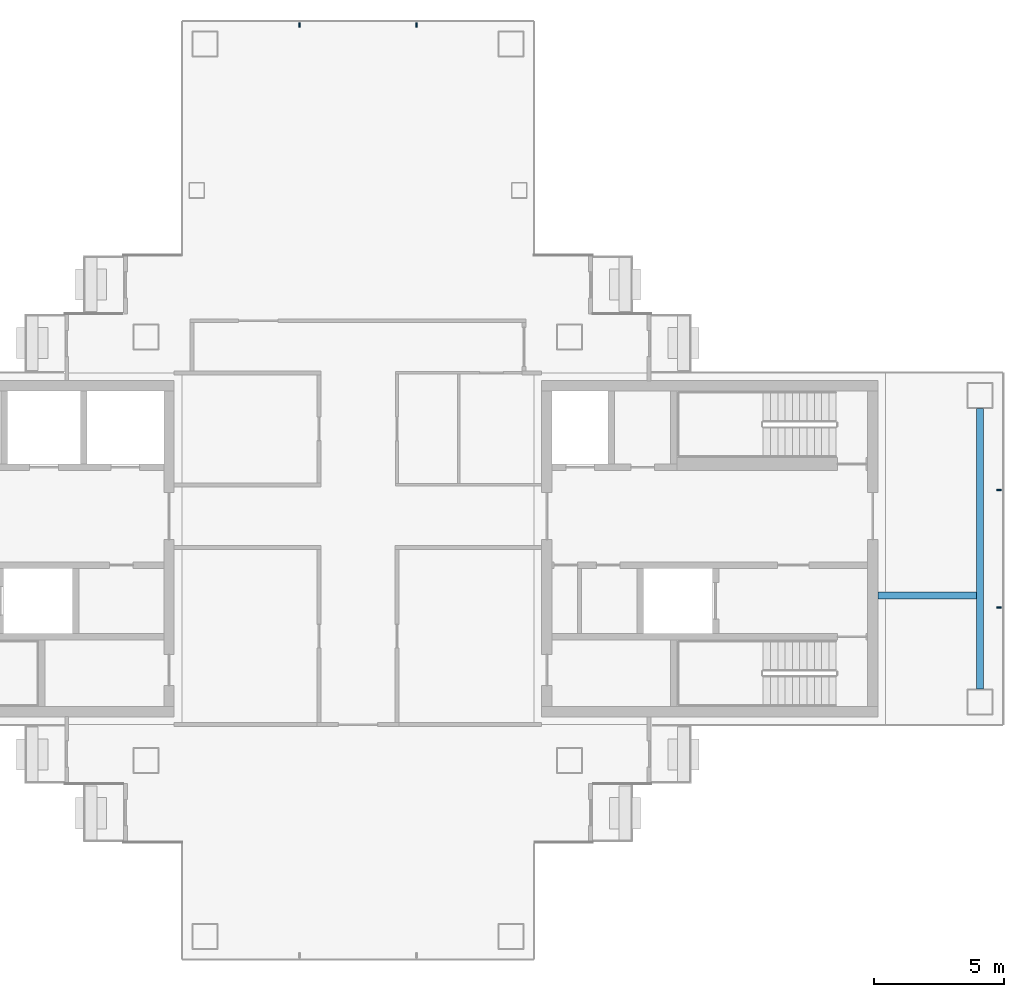
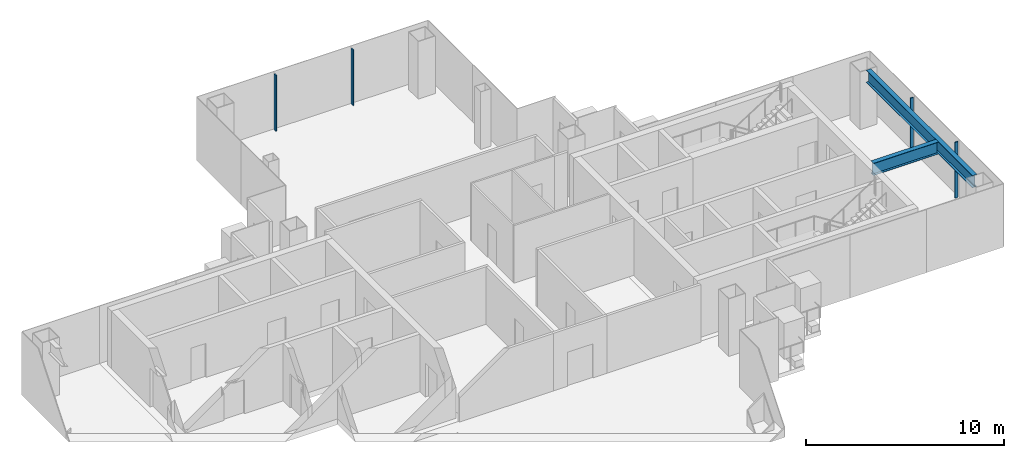
# One storey, part 6 of 16: 4 members, 2 beams, 2 elements without a shape of their own.
"""IFC4 building model written with IfcOpenShell, lengths in metres."""

from ifc_helpers import new_model, si_unit, direction, frame, origin, origin_2d, place, context, subcontext, project, spatial, rectangle, i_section, extrude, material, layer, layer_set, material_profile, profile_set, type_object, element, aggregate, save


model = new_model("IFC4")

# Units and contexts
model_context = context("Model", 3, precision=1e-05, world=origin(), true_north=direction((0.0, 1.0)))
body_context = subcontext(model_context, "Body", "Model", "MODEL_VIEW")
ifc_project = project(units=[si_unit("LENGTHUNIT", "METRE"), si_unit("AREAUNIT", "SQUARE_METRE"), si_unit("VOLUMEUNIT", "CUBIC_METRE"), si_unit("PLANEANGLEUNIT", "RADIAN"), si_unit("MASSUNIT", "GRAM", prefix="KILO")], contexts=[model_context])

# Site, building, storey
site_placement = place(None, origin())
site = spatial("IfcSite", under=ifc_project, at=site_placement, CompositionType="ELEMENT")
building_placement = place(site_placement, origin())
building = spatial("IfcBuilding", under=site, at=building_placement, Name="Shamsa Quay Exchange Towers", CompositionType="ELEMENT")
storey_placement = place(building_placement, frame((0.0, 0.0, 210.0)))
storey = spatial("IfcBuildingStorey", under=building, at=storey_placement, Name="L50", CompositionType="ELEMENT", Elevation=210.0)

# Curtain wall, members
ifc_material_1 = material(Name="Aluminium EN AW-6063 T6, black anodised", Category="aluminium")
ifc_layer = layer(ifc_material_1, 0.280029296875)
ifc_layer_set = layer_set([ifc_layer], Name="CW-1 UNITISED VISION GLASS")
curtain_wall_type = type_object("IfcCurtainWallType", Name="CW-1 UNITISED VISION GLASS", PredefinedType="NOTDEFINED", material=ifc_layer_set)
curtain_wall_1_placement = place(storey_placement, origin())
curtain_wall_1 = element("IfcCurtainWall", 1, at=curtain_wall_1_placement, inside=storey, type_object=curtain_wall_type, Name="CW1 T2-END-V- L50", PredefinedType="NOTDEFINED")
ifc_material_profile_1 = material_profile(ifc_material_1, rectangle(XDim=0.179931640625, YDim=0.06005859375, at=origin_2d()), Name="MU60x180")
ifc_profile_set_1 = profile_set([ifc_material_profile_1], Name="Aluminium EN AW-6063 T6, black anodised")
member_type = type_object("IfcMemberType", Name="CW1 MULLION 60x180", PredefinedType="MULLION", material=ifc_profile_set_1)
member_1_placement = place(storey_placement, frame((58.35009765625, -2.25, 0.0), z_axis=(0.0, 0.0, 1.0), x_axis=(-1.0, 0.0, 0.0)))
member_1 = element("IfcMember", 2, at=member_1_placement, type_object=member_type, Name="CW1 mullion", PredefinedType="MULLION", context=body_context, shape_type="SweptSolid", body=[
    extrude(rectangle(XDim=0.179931640625, YDim=0.06005859375, at=origin_2d()), origin(), (0.0, 0.0, 1.0), 3.449951171875),
])
member_2_placement = place(storey_placement, frame((58.35009765625, 2.25, 0.0), z_axis=(0.0, 0.0, 1.0), x_axis=(-1.0, 0.0, 0.0)))
member_2 = element("IfcMember", 3, at=member_2_placement, type_object=member_type, Name="CW1 mullion", PredefinedType="MULLION", context=body_context, shape_type="SweptSolid", body=[
    extrude(rectangle(XDim=0.179931640625, YDim=0.06005859375, at=origin_2d()), origin(), (0.0, 0.0, 1.0), 3.449951171875),
])
aggregate(curtain_wall_1, [member_1, member_2])

curtain_wall_2_placement = place(storey_placement, origin())
curtain_wall_2 = element("IfcCurtainWall", 4, at=curtain_wall_2_placement, inside=storey, type_object=curtain_wall_type, Name="CW1 T2-END-U+ L50", PredefinedType="NOTDEFINED")
member_3_placement = place(storey_placement, frame((36.0, 20.10009765625, 0.0), z_axis=(0.0, 0.0, 1.0), x_axis=(0.0, -1.0, 0.0)))
member_3 = element("IfcMember", 5, at=member_3_placement, type_object=member_type, Name="CW1 mullion", PredefinedType="MULLION", context=body_context, shape_type="SweptSolid", body=[
    extrude(rectangle(XDim=0.179931640625, YDim=0.06005859375, at=origin_2d()), origin(), (0.0, 0.0, 1.0), 3.449951171875),
])
member_4_placement = place(storey_placement, frame((31.5, 20.10009765625, 0.0), z_axis=(0.0, 0.0, 1.0), x_axis=(0.0, -1.0, 0.0)))
member_4 = element("IfcMember", 6, at=member_4_placement, type_object=member_type, Name="CW1 mullion", PredefinedType="MULLION", context=body_context, shape_type="SweptSolid", body=[
    extrude(rectangle(XDim=0.179931640625, YDim=0.06005859375, at=origin_2d()), origin(), (0.0, 0.0, 1.0), 3.449951171875),
])
aggregate(curtain_wall_2, [member_3, member_4])

# Beams
ifc_material_2 = material(Name="Steel S355", Category="steel")
ifc_material_profile_2 = material_profile(ifc_material_2, i_section(OverallWidth=0.26611328125, OverallDepth=0.7578125, WebThickness=0.013916015625, FlangeThickness=0.019287109375, at=origin_2d()), Name="W30x108")
ifc_profile_set_2 = profile_set([ifc_material_profile_2], Name="Steel S355")
beam_type = type_object("IfcBeamType", Name="End-zone beam W30x108", PredefinedType="BEAM", material=ifc_profile_set_2)
beam_1_placement = place(storey_placement, frame((57.625, -5.375, 3.171142578125), z_axis=(0.0, 1.0, 0.0), x_axis=(-1.0, 0.0, 0.0)))
element("IfcBeam", 7, at=beam_1_placement, inside=storey, type_object=beam_type, Name="End beam T2 V- end zone L50", PredefinedType="BEAM", context=body_context, shape_type="SweptSolid", body=[
    extrude(i_section(OverallWidth=0.26611328125, OverallDepth=0.7578125, WebThickness=0.013916015625, FlangeThickness=0.019287109375, at=origin_2d()), origin(), (0.0, 0.0, 1.0), 10.75),
])
beam_2_placement = place(storey_placement, frame((53.699951171875, -1.800048828125, 3.171142578125), z_axis=(1.0, 0.0, 0.0), x_axis=(0.0, 1.0, 0.0)))
element("IfcBeam", 8, at=beam_2_placement, inside=storey, type_object=beam_type, Name="Spine beam T2 V- end zone L50", PredefinedType="BEAM", context=body_context, shape_type="SweptSolid", body=[
    extrude(i_section(OverallWidth=0.26611328125, OverallDepth=0.7578125, WebThickness=0.013916015625, FlangeThickness=0.019287109375, at=origin_2d()), origin(), (0.0, 0.0, 1.0), 3.7919921875),
])

save(model, "model.ifc")
